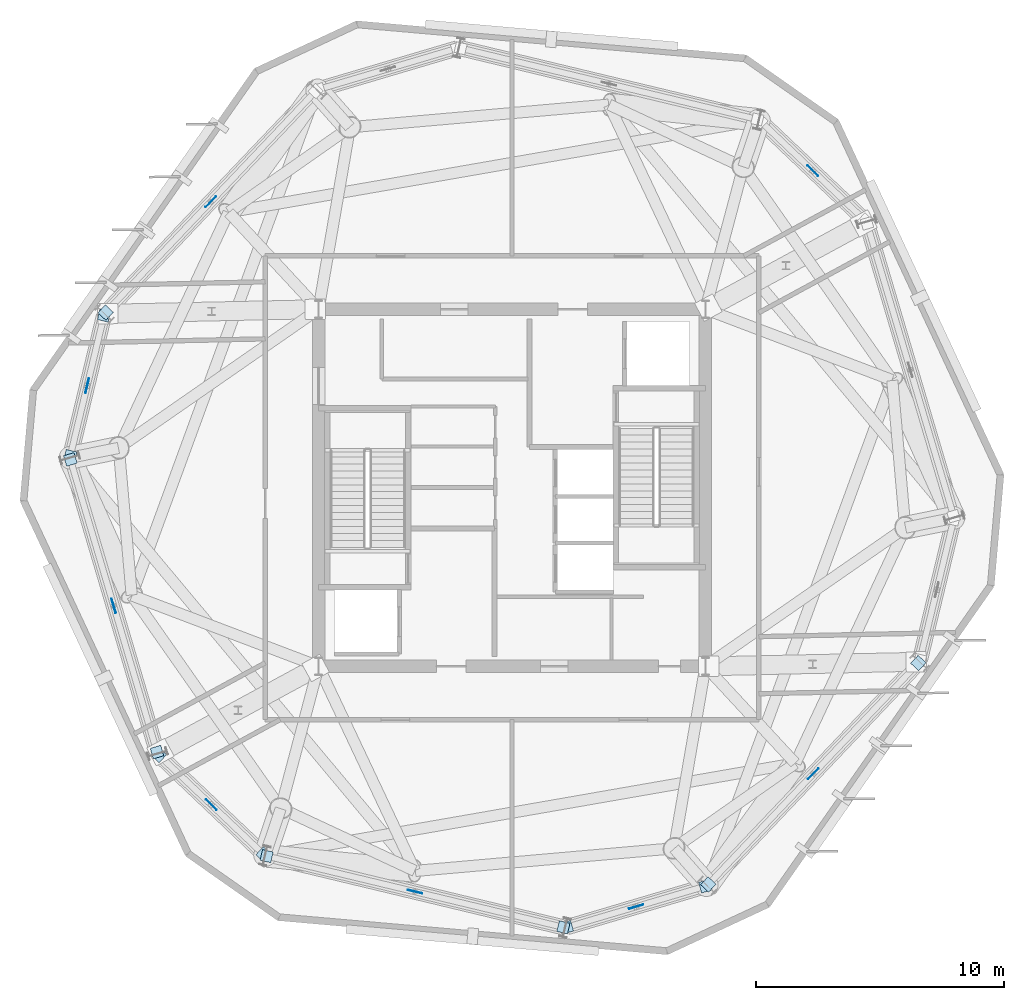
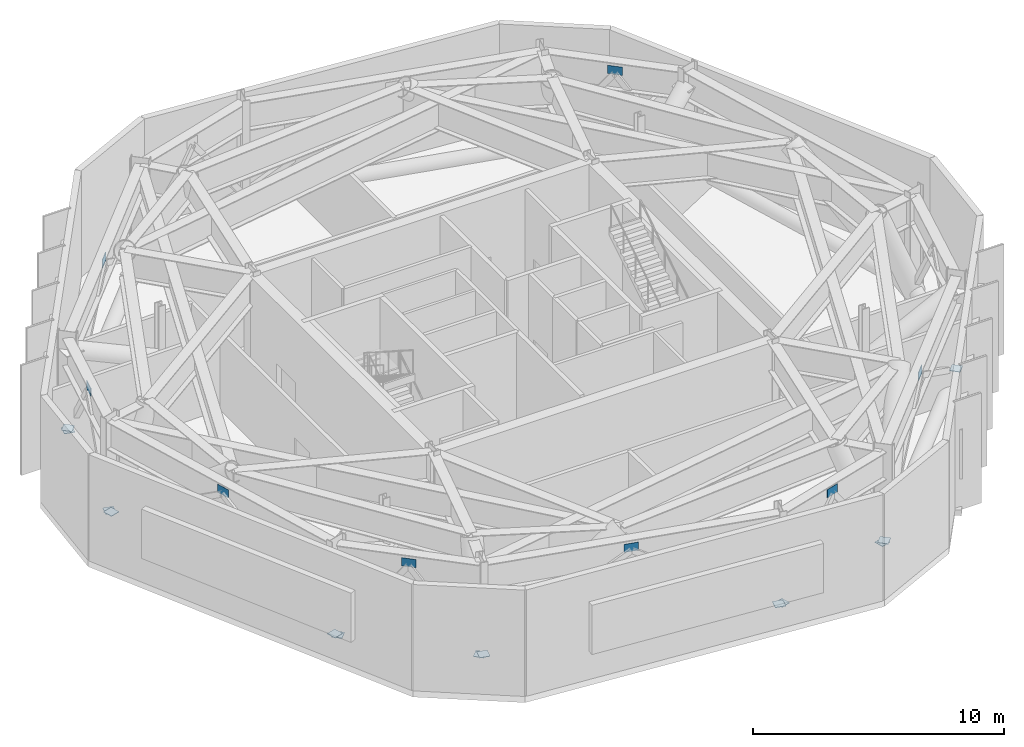
# One storey, part 4 of 10: 21 plates.
"""IFC4 building model written with IfcOpenShell, lengths in metres."""

from ifc_helpers import new_model, si_unit, direction, frame, origin, origin_2d, place, context, subcontext, project, spatial, rectangle, extrude, material, layer, layer_set, type_object, element, save


model = new_model("IFC4")

# Units and contexts
model_context = context("Model", 3, precision=1e-05, world=origin(), true_north=direction((0.0, 1.0)))
body_context = subcontext(model_context, "Body", "Model", "MODEL_VIEW")
ifc_project = project(units=[si_unit("LENGTHUNIT", "METRE"), si_unit("AREAUNIT", "SQUARE_METRE"), si_unit("VOLUMEUNIT", "CUBIC_METRE"), si_unit("PLANEANGLEUNIT", "RADIAN"), si_unit("MASSUNIT", "GRAM", prefix="KILO")], contexts=[model_context])

# Site, building, storey
site_placement = place(None, origin())
site = spatial("IfcSite", under=ifc_project, at=site_placement, CompositionType="ELEMENT")
building_placement = place(site_placement, origin())
building = spatial("IfcBuilding", under=site, at=building_placement, Name="Kranzbogen Civic Tower", CompositionType="ELEMENT")
storey_placement = place(building_placement, frame((0.0, 0.0, 244.800048828125)))
storey = spatial("IfcBuildingStorey", under=building, at=storey_placement, Name="L59", CompositionType="ELEMENT", Elevation=244.800048828125)

# Plates
ifc_material = material(Name="Steel S355", Category="steel")
ifc_layer_1 = layer(ifc_material, 0.028076171875, Name="Steel S355")
ifc_layer_set_1 = layer_set([ifc_layer_1], Name="Steel S355")
plate_type_1 = type_object("IfcPlateType", Name="Belt Truss Node Gusset Plate 600x400x28", PredefinedType="USERDEFINED", material=ifc_layer_set_1)
for number, where, z_axis, x_axis, name in (
    (1, (12.873046875, 12.220947265625, 4.429931640625), (0.0, 0.0, 1.0), (0.725362356848, -0.68836723576, 0.0), "L59 belt truss apex gusset plate 01"),
    (2, (21.090087890625, 8.712890625, 4.429931640625), (0.0, 0.0, 1.0), (0.97237399464, -0.233428392764, 0.0), "L59 belt truss apex gusset plate 02"),
    (3, (30.0029296875, 8.10791015625, 4.429931640625), (0.0, 0.0, 1.0), (0.958839560543, 0.283948405767, 0.0), "L59 belt truss apex gusset plate 03"),
    (4, (37.14990234375, 13.469970703125, 4.429931640625), (0.0, 0.0, 1.0), (0.688303933332, 0.72542242546, 0.0), "L59 belt truss apex gusset plate 04"),
    (5, (37.126953125, 37.779052734375, 4.429931640625), (0.0, 0.0, 1.0), (-0.725362356848, 0.68836723576, 0.0), "L59 belt truss apex gusset plate 07"),
    (6, (12.85009765625, 36.530029296875, 4.429931640625), (0.0, 0.0, 1.0), (-0.688303933332, -0.72542242546, 0.0), "L59 belt truss apex gusset plate 10"),
    (7, (7.8701171875, 29.112060546875, 4.429931640625), (0.0, 0.0, 1.0), (-0.233581130033, -0.972337315798, 0.0), "L59 belt truss apex gusset plate 11"),
    (8, (8.93896484375, 20.241943359375, 4.429931640625), (0.0, 0.0, 1.0), (0.284032079222, -0.958814777719, 0.0), "L59 belt truss apex gusset plate 12"),
):
    element("IfcPlate", number, at=place(storey_placement, frame(where, z_axis=z_axis, x_axis=x_axis)), inside=storey, type_object=plate_type_1, Name=name, ObjectType="GUSSET_PLATE", PredefinedType="USERDEFINED", context=body_context, shape_type="SweptSolid", body=[
        extrude(rectangle(XDim=0.60009765625, YDim=0.028076171875, at=origin_2d()), origin(), (0.0, 0.0, 1.0), 0.39990234375),
    ])
ifc_layer_2 = layer(ifc_material, 0.02490234375, Name="Steel S355")
ifc_layer_set_2 = layer_set([ifc_layer_2], Name="Steel S355")
plate_type_2 = type_object("IfcPlateType", Name="Hollow Section Sealed End Cap Plate 440x440x25", PredefinedType="SHEET", material=ifc_layer_set_2)
for number, where, z_axis, x_axis, name in (
    (9, (10.760009765625, 14.22607421875, 0.62744140625), (0.0, 0.0, 1.0), (0.725446451357, -0.688278610893, 0.0), "DG-250: L59 belt truss diagonal 01A end cap 1"),
    (10, (14.986083984375, 10.215087890625, 0.62744140625), (0.0, 0.0, 1.0), (-0.725278251512, 0.688455850352, 0.0), "DG-250: L59 belt truss diagonal 01B end cap 1"),
    (11, (15.10693359375, 10.14794921875, 0.630615234375), (0.0, 0.0, 1.0), (0.972406577913, -0.233292621467, 0.0), "DG-250: L59 belt truss diagonal 02A end cap 1"),
    (12, (27.072021484375, 7.277099609375, 0.630615234375), (0.0, 0.0, 1.0), (-0.972361771025, 0.233479305827, 0.0), "DG-250: L59 belt truss diagonal 02B end cap 1"),
    (13, (27.2099609375, 7.281005859375, 0.62744140625), (0.0, 0.0, 1.0), (0.958844516232, 0.283931670816, 0.0), "DG-250: L59 belt truss diagonal 03A end cap 1"),
    (14, (32.797119140625, 8.93505859375, 0.62744140625), (0.0, 0.0, 1.0), (-0.958869290293, -0.283847994766, 0.0), "DG-250: L59 belt truss diagonal 03B end cap 1"),
    (15, (32.9150390625, 9.006103515625, 0.630615234375), (0.0, 0.0, 1.0), (0.688303933332, 0.72542242546, 0.0), "DG-250: L59 belt truss diagonal 04A end cap 1"),
    (16, (41.385009765625, 17.93408203125, 0.630615234375), (0.0, 0.0, 1.0), (-0.688303933332, -0.72542242546, 0.0), "DG-250: L59 belt truss diagonal 04B end cap 1"),
    (17, (8.614990234375, 32.06591796875, 0.630615234375), (0.0, 0.0, 1.0), (0.688303933332, 0.72542242546, 0.0), "DG-250: L59 belt truss diagonal 10B end cap 1"),
    (18, (8.550048828125, 31.945068359375, 0.62744140625), (0.0, 0.0, 1.0), (-0.233292621467, -0.972406577913, 0.0), "DG-250: L59 belt truss diagonal 11A end cap 1"),
    (19, (7.18896484375, 26.280029296875, 0.62744140625), (0.0, 0.0, 1.0), (0.233699921703, 0.972308771222, 0.0), "DG-250: L59 belt truss diagonal 11B end cap 1"),
    (20, (7.19189453125, 26.14208984375, 0.630615234375), (0.0, 0.0, 1.0), (0.283914935779, -0.958849471628, 0.0), "DG-250: L59 belt truss diagonal 12A end cap 1"),
    (21, (10.68701171875, 14.343017578125, 0.630615234375), (0.0, 0.0, 1.0), (-0.284099016429, 0.958794946203, 0.0), "DG-250: L59 belt truss diagonal 12B end cap 1"),
):
    element("IfcPlate", number, at=place(storey_placement, frame(where, z_axis=z_axis, x_axis=x_axis)), inside=storey, type_object=plate_type_2, Name=name, PredefinedType="SHEET", context=body_context, shape_type="SweptSolid", body=[
        extrude(rectangle(XDim=0.43994140625, YDim=0.43994140625, at=origin_2d()), origin(), (0.0, 0.0, 1.0), 0.02490234375),
    ])

save(model, "model.ifc")
